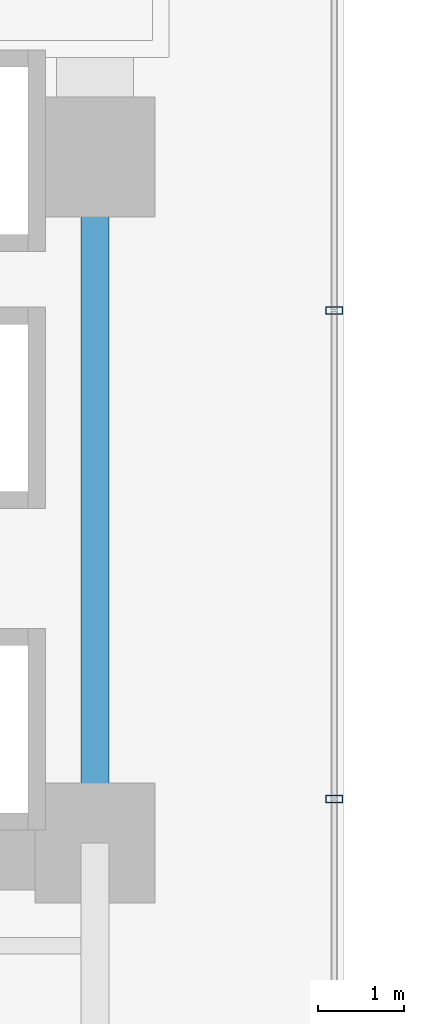
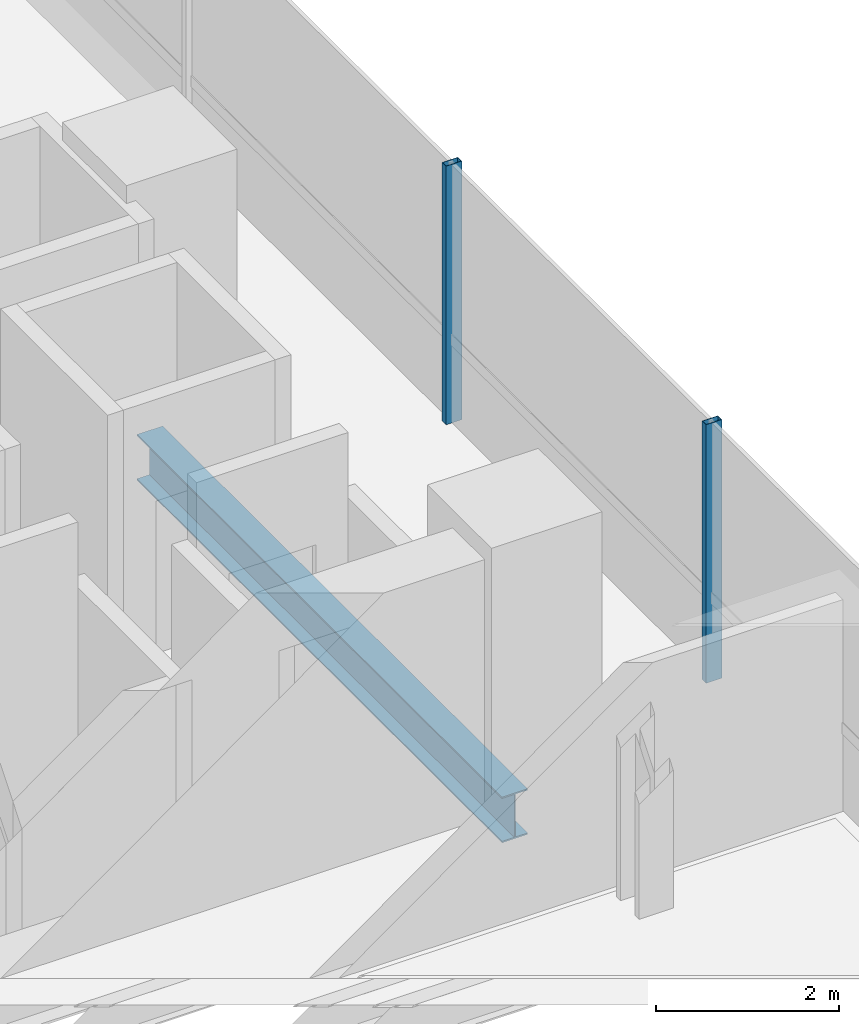
# One storey, part 6 of 39: 2 members, 1 beam, 1 element without a shape of its own.
"""IFC4 building model written with IfcOpenShell, lengths in metres."""

from ifc_helpers import new_model, si_unit, direction, frame, origin, origin_2d, place, context, subcontext, project, spatial, hollow_rectangle, i_section, extrude, source, transform, mapped, material, material_profile, profile_set, type_object, element, aggregate, save


model = new_model("IFC4")

# Units and contexts
model_context = context("Model", 3, precision=1e-05, world=origin(), true_north=direction((0.0, 1.0)))
body_context = subcontext(model_context, "Body", "Model", "MODEL_VIEW")
ifc_project = project(units=[si_unit("LENGTHUNIT", "METRE"), si_unit("AREAUNIT", "SQUARE_METRE"), si_unit("VOLUMEUNIT", "CUBIC_METRE"), si_unit("PLANEANGLEUNIT", "RADIAN"), si_unit("MASSUNIT", "GRAM", prefix="KILO")], contexts=[model_context])

# Site, building, storey
site_placement = place(None, origin())
site = spatial("IfcSite", under=ifc_project, at=site_placement, CompositionType="ELEMENT")
building_placement = place(site_placement, origin())
building = spatial("IfcBuilding", under=site, at=building_placement, Name="Valdorenza Pilgrim Sanctuary Tower", CompositionType="ELEMENT")
storey_placement = place(building_placement, frame((0.0, 0.0, 70.39990234375)))
storey = spatial("IfcBuildingStorey", under=building, at=storey_placement, Name="L17", CompositionType="ELEMENT", Elevation=70.39990234375)

# Beam
ifc_material_1 = material(Name="Steel ASTM A992 Grade 50", Category="steel")
ifc_material_profile_1 = material_profile(ifc_material_1, i_section(OverallWidth=0.323974609375, OverallDepth=0.611083984375, WebThickness=0.0126953125, FlangeThickness=0.01904296875, at=origin_2d()), Name="W24X104")
ifc_profile_set_1 = profile_set([ifc_material_profile_1], Name="Steel ASTM A992 Grade 50")
beam_type = type_object("IfcBeamType", Name="STR-BM-GRD-W24B", PredefinedType="BEAM", material=ifc_profile_set_1)
shared_shape_1 = source(origin(), body_context, "Body", "SweptSolid", [
    extrude(i_section(OverallWidth=0.323974609375, OverallDepth=0.611083984375, WebThickness=0.0126953125, FlangeThickness=0.01904296875, at=origin_2d()), origin(), (0.0, 0.0, 1.0), 8.0),
])
beam_placement = place(storey_placement, frame((-12.39990234375, -10.60009765625, -0.54541015625), z_axis=(0.0, 1.0, 0.0), x_axis=(-1.0, 0.0, 0.0)))
element("IfcBeam", 1, at=beam_placement, inside=storey, type_object=beam_type, Name="L17 Core Tie Girder CA-E-S1M0", PredefinedType="BEAM", context=body_context, shape_type="MappedRepresentation", body=[
    mapped(shared_shape_1, transform((0.0, 0.0, 0.0), x_axis=(1.0, 0.0, 0.0), y_axis=(0.0, 1.0, 0.0), z_axis=(0.0, 0.0, 1.0), scale=1.0)),
])

# Curtain wall, members
ifc_material_2 = material(Name="Curtain-wall IGU glazing", Category="glass")
curtain_wall_type = type_object("IfcCurtainWallType", Name="CW-SYS-02", PredefinedType="NOTDEFINED", material=ifc_material_2)
curtain_wall_placement = place(storey_placement, origin())
curtain_wall = element("IfcCurtainWall", 2, at=curtain_wall_placement, inside=storey, type_object=curtain_wall_type, Name="L17 Curtain Wall CW-L17-1-41", PredefinedType="NOTDEFINED")
ifc_material_3 = material(Name="Anodised aluminium AW-6060", Category="aluminium")
ifc_material_profile_2 = material_profile(ifc_material_3, hollow_rectangle(XDim=0.0849609375, YDim=0.199951171875, WallThickness=0.0048828125, at=origin_2d()), Name="ALU-M 200x85x5")
ifc_profile_set_2 = profile_set([ifc_material_profile_2], Name="Anodised aluminium AW-6060")
member_type = type_object("IfcMemberType", Name="CW-MUL-02", PredefinedType="MULLION", material=ifc_profile_set_2)
shared_shape_2 = source(origin(), body_context, "Body", "SweptSolid", [
    extrude(hollow_rectangle(XDim=0.0849609375, YDim=0.199951171875, WallThickness=0.0048828125, at=origin_2d()), origin(), (0.0, 0.0, 1.0), 3.460205078125),
])
member_1_placement = place(storey_placement, frame((-9.610107421875, -4.38916015625, 0.0), z_axis=(0.0, 0.0, 1.0), x_axis=(0.0, -1.0, 0.0)))
member_1 = element("IfcMember", 3, at=member_1_placement, type_object=member_type, Name="CW-L17-1-41 Mullion 3", PredefinedType="MULLION", context=body_context, shape_type="MappedRepresentation", body=[
    mapped(shared_shape_2, transform((0.0, 0.0, 0.0), x_axis=(1.0, 0.0, 0.0), y_axis=(0.0, 1.0, 0.0), z_axis=(0.0, 0.0, 1.0), scale=1.0)),
])
member_2_placement = place(storey_placement, frame((-9.610107421875, -10.089111328125, 0.0), z_axis=(0.0, 0.0, 1.0), x_axis=(0.0, -1.0, 0.0)))
member_2 = element("IfcMember", 4, at=member_2_placement, type_object=member_type, Name="CW-L17-1-41 Mullion 4", PredefinedType="MULLION", context=body_context, shape_type="MappedRepresentation", body=[
    mapped(shared_shape_2, transform((0.0, 0.0, 0.0), x_axis=(1.0, 0.0, 0.0), y_axis=(0.0, 1.0, 0.0), z_axis=(0.0, 0.0, 1.0), scale=1.0)),
])
aggregate(curtain_wall, [member_1, member_2])

save(model, "model.ifc")
